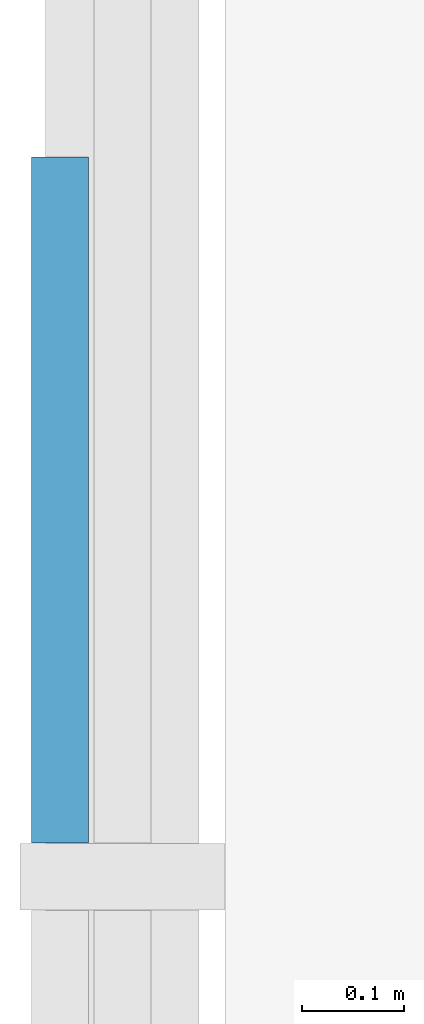
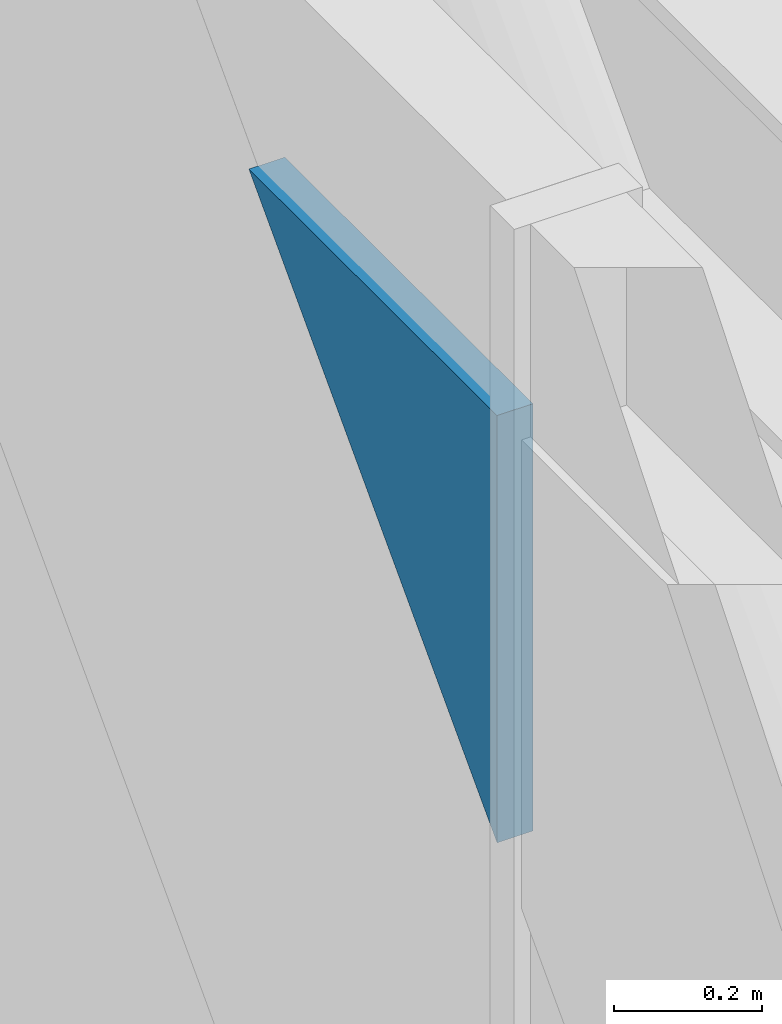
# One storey, part 11 of 17: 1 plate, 1 element without a shape of its own.
"""IFC4 building model written with IfcOpenShell, lengths in metres."""

from ifc_helpers import new_model, si_unit, direction, frame, origin, place, context, subcontext, project, spatial, polyline, outline, extrude, material, layer, layer_set, type_object, element, aggregate, save


model = new_model("IFC4")

# Units and contexts
model_context = context("Model", 3, precision=1e-05, world=origin(), true_north=direction((0.0, 1.0)))
body_context = subcontext(model_context, "Body", "Model", "MODEL_VIEW")
ifc_project = project(units=[si_unit("LENGTHUNIT", "METRE"), si_unit("AREAUNIT", "SQUARE_METRE"), si_unit("VOLUMEUNIT", "CUBIC_METRE"), si_unit("PLANEANGLEUNIT", "RADIAN"), si_unit("MASSUNIT", "GRAM", prefix="KILO")], contexts=[model_context])

# Site, building, storey
site_placement = place(None, origin())
site = spatial("IfcSite", under=ifc_project, at=site_placement, CompositionType="ELEMENT")
building_placement = place(site_placement, origin())
building = spatial("IfcBuilding", under=site, at=building_placement, Name="Rheinbord Bourse Tower", CompositionType="ELEMENT")
storey_placement = place(building_placement, frame((0.0, 0.0, 304.699951171875)))
storey = spatial("IfcBuildingStorey", under=building, at=storey_placement, Name="L69", CompositionType="ELEMENT", Elevation=304.699951171875)

# Curtain wall, plate
ifc_material_1 = material(Name="Dark glass and black aluminium", Category="aluminium")
curtain_wall_type = type_object("IfcCurtainWallType", Name="CW3 DARK GLASS CURTAIN WALL", PredefinedType="USERDEFINED", material=ifc_material_1)
curtain_wall_placement = place(storey_placement, origin())
curtain_wall = element("IfcCurtainWall", 1, at=curtain_wall_placement, inside=storey, type_object=curtain_wall_type, Name="Curtain wall CW3 W L69", ObjectType="UNITISED CURTAIN WALL", PredefinedType="USERDEFINED")
ifc_material_2 = material(Name="Dark tinted triple insulating glass", Category="glass")
ifc_layer = layer(ifc_material_2, 0.055908203125)
ifc_layer_set = layer_set([ifc_layer], Name="CW3 DARK GLASS PANEL")
plate_type = type_object("IfcPlateType", Name="CW3 DARK GLASS PANEL", PredefinedType="CURTAIN_PANEL", material=ifc_layer_set)
plate_placement = place(storey_placement, frame((-0.68896484375, 14.23291015625, 3.85009765625), z_axis=(1.0, 0.0, 0.0), x_axis=(0.0, 0.0, -1.0)))
plate = element("IfcPlate", 2, at=plate_placement, type_object=plate_type, Name="CW3 glass facet 2", PredefinedType="CURTAIN_PANEL", context=body_context, shape_type="SweptSolid", body=[
    extrude(outline(polyline([(0.0, 0.0), (0.703125, 0.0), (0.0, 0.669189453125), (0.0, 0.0)])), origin(), (0.0, 0.0, 1.0), 0.055908203125),
])
aggregate(curtain_wall, [plate])

save(model, "model.ifc")
